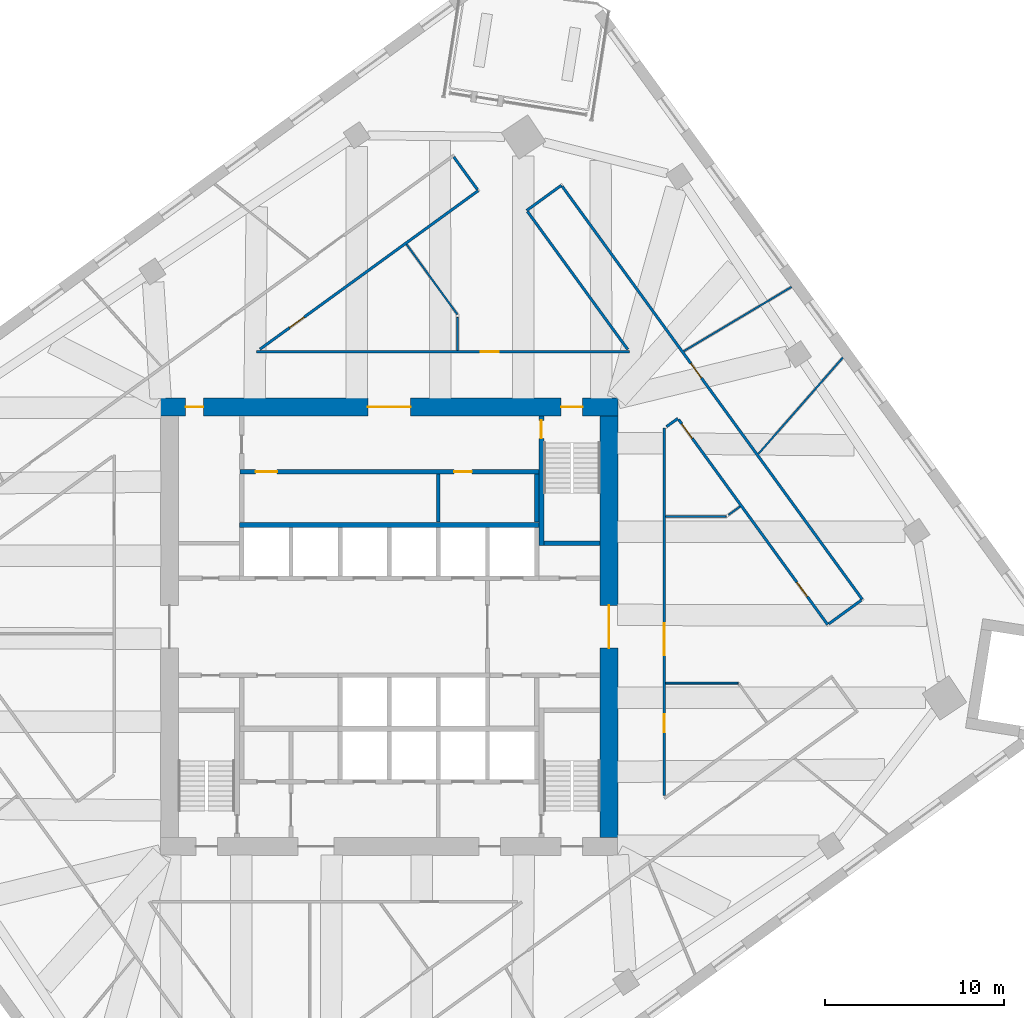
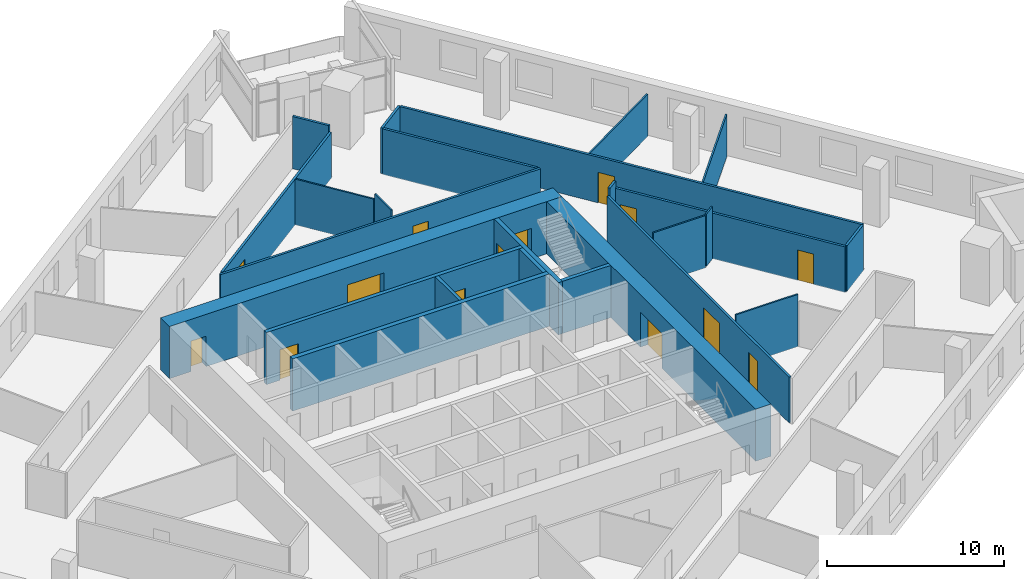
# One storey, part 8 of 11: 25 walls, 14 doors, 14 openings.
"""IFC4 building model written with IfcOpenShell, lengths in metres."""

from ifc_helpers import new_model, si_unit, direction, frame, frame_2d, origin, place, context, subcontext, project, spatial, rectangle, extrude, material, layer, layer_set, type_object, element, fill, save


model = new_model("IFC4")

# Units and contexts
model_context = context("Model", 3, precision=1e-05, world=origin(), true_north=direction((0.0, 1.0)))
body_context = subcontext(model_context, "Body", "Model", "MODEL_VIEW")
ifc_project = project(units=[si_unit("LENGTHUNIT", "METRE"), si_unit("AREAUNIT", "SQUARE_METRE"), si_unit("VOLUMEUNIT", "CUBIC_METRE"), si_unit("PLANEANGLEUNIT", "RADIAN"), si_unit("MASSUNIT", "GRAM", prefix="KILO")], contexts=[model_context])

# Site, building, storey
site_placement = place(None, origin())
site = spatial("IfcSite", under=ifc_project, at=site_placement, CompositionType="ELEMENT")
building_placement = place(site_placement, origin())
building = spatial("IfcBuilding", under=site, at=building_placement, Name="Dilmun Exchange Tower", CompositionType="ELEMENT")
storey_placement = place(building_placement, frame((0.0, 0.0, 171.699951171875)))
storey = spatial("IfcBuildingStorey", under=building, at=storey_placement, Name="L40", CompositionType="ELEMENT", Elevation=171.699951171875)

# Walls
ifc_material_1 = material(Name="Concrete C40/50", Category="concrete")
ifc_layer_1 = layer(ifc_material_1, 0.199951171875)
ifc_layer_set_1 = layer_set([ifc_layer_1], Name="Concrete C40/50")
wall_type_1 = type_object("IfcWallType", Name="Core partition wall 200", PredefinedType="PARTITIONING", material=ifc_layer_set_1)
wall_1_placement = place(storey_placement, frame((2.75, 5.85498046875, 0.0), z_axis=(0.0, 0.0, 1.0), x_axis=(0.0, 1.0, 0.0)))
element("IfcWall", 1, at=wall_1_placement, inside=storey, type_object=wall_type_1, Name="L40 core partition wall 16", PredefinedType="PARTITIONING", context=body_context, shape_type="SweptSolid", body=[
    extrude(rectangle(XDim=2.68994140625, YDim=0.199951171875, at=frame_2d((1.344970703125, 0.0))), origin(), (0.0, 0.0, 1.0), 3.60009765625),
])
ifc_layer_2 = layer(ifc_material_1, 0.25)
ifc_layer_set_2 = layer_set([ifc_layer_2], Name="Concrete C40/50")
wall_type_2 = type_object("IfcWallType", Name="Core partition wall 250", PredefinedType="PARTITIONING", material=ifc_layer_set_2)
wall_2_placement = place(storey_placement, frame((8.25, 5.85498046875, 0.0), z_axis=(0.0, 0.0, 1.0), x_axis=(0.0, 1.0, 0.0)))
element("IfcWall", 2, at=wall_2_placement, inside=storey, type_object=wall_type_2, Name="L40 core partition wall 17", PredefinedType="PARTITIONING", context=body_context, shape_type="SweptSolid", body=[
    extrude(rectangle(XDim=2.68994140625, YDim=0.25, at=frame_2d((1.344970703125, 0.0))), origin(), (0.0, 0.0, 1.0), 3.60009765625),
])

# Wall, openings, doors
wall_3_placement = place(storey_placement, frame((-8.35009765625, 8.675048828125, 0.0), z_axis=(0.0, 0.0, 1.0), x_axis=(1.0, 0.0, 0.0)))
wall_3 = element("IfcWall", 3, at=wall_3_placement, inside=storey, type_object=wall_type_2, Name="L40 core partition wall 18", PredefinedType="PARTITIONING", context=body_context, shape_type="SweptSolid", body=[
    extrude(rectangle(XDim=16.72021484375, YDim=0.25, at=frame_2d((8.360107421875, 0.0))), origin(), (0.0, 0.0, 1.0), 3.60009765625),
])
opening_1_placement = place(wall_3_placement, frame((0.875, 0.0, 0.0)))
opening_1 = element("IfcOpeningElement", 4, at=opening_1_placement, cuts=wall_3, Name="Opening CD3", PredefinedType="OPENING", context=body_context, shape_type="SweptSolid", body=[
    extrude(rectangle(XDim=1.199951171875, YDim=2.10009765625, at=frame_2d((0.60009765625, 1.050048828125))), frame((0.0, 0.135009765625, 0.0), z_axis=(0.0, -1.0, 0.0), x_axis=(1.0, 0.0, 0.0)), (0.0, 0.0, 1.0), 0.27001953125),
])
opening_2_placement = place(wall_3_placement, frame((11.97509765625, 0.0, 0.0)))
opening_2 = element("IfcOpeningElement", 5, at=opening_2_placement, cuts=wall_3, Name="Opening CD4", PredefinedType="OPENING", context=body_context, shape_type="SweptSolid", body=[
    extrude(rectangle(XDim=1.0, YDim=2.10009765625, at=frame_2d((0.5, 1.050048828125))), frame((0.0, 0.135009765625, 0.0), z_axis=(0.0, -1.0, 0.0), x_axis=(1.0, 0.0, 0.0)), (0.0, 0.0, 1.0), 0.27001953125),
])
ifc_material_2 = material(Name="Fire-rated steel door set", Category="steel")
door_type_1 = type_object("IfcDoorType", Name="Core room door 1000x2100", OperationType="SINGLE_SWING_LEFT", PredefinedType="DOOR", material=ifc_material_2)
door_1_placement = place(opening_2_placement, origin())
door_1 = element("IfcDoor", 6, at=door_1_placement, inside=storey, type_object=door_type_1, Name="L40 door Switch room", OperationType="SINGLE_SWING_LEFT", OverallHeight=2.10009765625, OverallWidth=1.0, PredefinedType="DOOR", context=body_context, shape_type="SweptSolid", body=[
    extrude(rectangle(XDim=1.0, YDim=2.10009765625, at=frame_2d((0.5, 1.050048828125))), frame((0.0, 0.02490234375, 0.0), z_axis=(0.0, -1.0, 0.0), x_axis=(1.0, 0.0, 0.0)), (0.0, 0.0, 1.0), 0.050048828125),
])
fill(opening_2, door_1)
door_type_2 = type_object("IfcDoorType", Name="Stair exit door 1200x2100", OperationType="SINGLE_SWING_LEFT", PredefinedType="DOOR", material=ifc_material_2)
door_2_placement = place(opening_1_placement, origin())
door_2 = element("IfcDoor", 7, at=door_2_placement, inside=storey, type_object=door_type_2, Name="L40 door Tenant amenity store", OperationType="SINGLE_SWING_LEFT", OverallHeight=2.10009765625, OverallWidth=1.199951171875, PredefinedType="DOOR", context=body_context, shape_type="SweptSolid", body=[
    extrude(rectangle(XDim=1.199951171875, YDim=2.10009765625, at=frame_2d((0.60009765625, 1.050048828125))), frame((0.0, 0.02490234375, 0.0), z_axis=(0.0, -1.0, 0.0), x_axis=(1.0, 0.0, 0.0)), (0.0, 0.0, 1.0), 0.050048828125),
])
fill(opening_1, door_2)

ifc_material_3 = material(Name="Concrete C70/85", Category="concrete")
ifc_layer_3 = layer(ifc_material_3, 1.0)
ifc_layer_set_3 = layer_set([ifc_layer_3], Name="Concrete C70/85")
wall_type_3 = type_object("IfcWallType", Name="Core shear wall 1000 Concrete C70/85", PredefinedType="SHEAR", material=ifc_layer_set_3)
wall_4_placement = place(storey_placement, frame((-12.800048828125, 12.300048828125, 0.0), z_axis=(0.0, 0.0, 1.0), x_axis=(1.0, 0.0, 0.0)))
wall_4 = element("IfcWall", 8, at=wall_4_placement, inside=storey, type_object=wall_type_3, Name="L40 core shear wall N", PredefinedType="SHEAR", context=body_context, shape_type="SweptSolid", body=[
    extrude(rectangle(XDim=25.60009765625, YDim=1.0, at=frame_2d((12.800048828125, 0.0))), origin(), (0.0, 0.0, 1.0), 3.60009765625),
])
opening_3_placement = place(wall_4_placement, frame((11.60009765625, 0.0, 0.0)))
opening_3 = element("IfcOpeningElement", 9, at=opening_3_placement, cuts=wall_4, Name="Opening CD1", PredefinedType="OPENING", context=body_context, shape_type="SweptSolid", body=[
    extrude(rectangle(XDim=2.39990234375, YDim=2.39990234375, at=frame_2d((1.199951171875, 1.199951171875))), frame((0.0, 0.510009765625, 0.0), z_axis=(0.0, -1.0, 0.0), x_axis=(1.0, 0.0, 0.0)), (0.0, 0.0, 1.0), 1.02001953125),
])
opening_4_placement = place(wall_4_placement, frame((22.425048828125, 0.0, 0.0)))
opening_4 = element("IfcOpeningElement", 10, at=opening_4_placement, cuts=wall_4, Name="Opening CD3", PredefinedType="OPENING", context=body_context, shape_type="SweptSolid", body=[
    extrude(rectangle(XDim=1.199951171875, YDim=2.10009765625, at=frame_2d((0.60009765625, 1.050048828125))), frame((0.0, 0.510009765625, 0.0), z_axis=(0.0, -1.0, 0.0), x_axis=(1.0, 0.0, 0.0)), (0.0, 0.0, 1.0), 1.02001953125),
])
opening_5_placement = place(wall_4_placement, frame((1.39990234375, 0.0, 0.0)))
opening_5 = element("IfcOpeningElement", 11, at=opening_5_placement, cuts=wall_4, Name="Opening CD4", PredefinedType="OPENING", context=body_context, shape_type="SweptSolid", body=[
    extrude(rectangle(XDim=1.0, YDim=2.10009765625, at=frame_2d((0.5, 1.050048828125))), frame((0.0, 0.510009765625, 0.0), z_axis=(0.0, -1.0, 0.0), x_axis=(1.0, 0.0, 0.0)), (0.0, 0.0, 1.0), 1.02001953125),
])
door_type_3 = type_object("IfcDoorType", Name="Core lobby door 2400x2400", OperationType="DOUBLE_DOOR_DOUBLE_SWING", PredefinedType="DOOR", material=ifc_material_2)
door_3_placement = place(opening_3_placement, origin())
door_3 = element("IfcDoor", 12, at=door_3_placement, inside=storey, type_object=door_type_3, Name="L40 door North lift lobby", OperationType="SINGLE_SWING_LEFT", OverallHeight=2.39990234375, OverallWidth=2.39990234375, PredefinedType="DOOR", context=body_context, shape_type="SweptSolid", body=[
    extrude(rectangle(XDim=2.39990234375, YDim=2.39990234375, at=frame_2d((1.199951171875, 1.199951171875))), frame((0.0, 0.02490234375, 0.0), z_axis=(0.0, -1.0, 0.0), x_axis=(1.0, 0.0, 0.0)), (0.0, 0.0, 1.0), 0.050048828125),
])
fill(opening_3, door_3)
door_4_placement = place(opening_5_placement, origin())
door_4 = element("IfcDoor", 13, at=door_4_placement, inside=storey, type_object=door_type_1, Name="L40 door North-west core rooms", OperationType="SINGLE_SWING_LEFT", OverallHeight=2.10009765625, OverallWidth=1.0, PredefinedType="DOOR", context=body_context, shape_type="SweptSolid", body=[
    extrude(rectangle(XDim=1.0, YDim=2.10009765625, at=frame_2d((0.5, 1.050048828125))), frame((0.0, 0.02490234375, 0.0), z_axis=(0.0, -1.0, 0.0), x_axis=(1.0, 0.0, 0.0)), (0.0, 0.0, 1.0), 0.050048828125),
])
fill(opening_5, door_4)
door_5_placement = place(opening_4_placement, origin())
door_5 = element("IfcDoor", 14, at=door_5_placement, inside=storey, type_object=door_type_2, Name="L40 door Stair ST1", OperationType="SINGLE_SWING_LEFT", OverallHeight=2.10009765625, OverallWidth=1.199951171875, PredefinedType="DOOR", context=body_context, shape_type="SweptSolid", body=[
    extrude(rectangle(XDim=1.199951171875, YDim=2.10009765625, at=frame_2d((0.60009765625, 1.050048828125))), frame((0.0, 0.02490234375, 0.0), z_axis=(0.0, -1.0, 0.0), x_axis=(1.0, 0.0, 0.0)), (0.0, 0.0, 1.0), 0.050048828125),
])
fill(opening_4, door_5)

# Wall, opening, door
wall_5_placement = place(storey_placement, frame((12.300048828125, -11.800048828125, 0.0), z_axis=(0.0, 0.0, 1.0), x_axis=(0.0, 1.0, 0.0)))
wall_5 = element("IfcWall", 15, at=wall_5_placement, inside=storey, type_object=wall_type_3, Name="L40 core shear wall E", PredefinedType="SHEAR", context=body_context, shape_type="SweptSolid", body=[
    extrude(rectangle(XDim=23.60009765625, YDim=1.0, at=frame_2d((11.800048828125, 0.0))), origin(), (0.0, 0.0, 1.0), 3.60009765625),
])
opening_6_placement = place(wall_5_placement, frame((10.60009765625, 0.0, 0.0)))
opening_6 = element("IfcOpeningElement", 16, at=opening_6_placement, cuts=wall_5, Name="Opening CD1", PredefinedType="OPENING", context=body_context, shape_type="SweptSolid", body=[
    extrude(rectangle(XDim=2.39990234375, YDim=2.39990234375, at=frame_2d((1.199951171875, 1.199951171875))), frame((0.0, 0.510009765625, 0.0), z_axis=(0.0, -1.0, 0.0), x_axis=(1.0, 0.0, 0.0)), (0.0, 0.0, 1.0), 1.02001953125),
])
door_6_placement = place(opening_6_placement, origin())
door_6 = element("IfcDoor", 17, at=door_6_placement, inside=storey, type_object=door_type_3, Name="L40 door Central lift lobby", OperationType="SINGLE_SWING_LEFT", OverallHeight=2.39990234375, OverallWidth=2.39990234375, PredefinedType="DOOR", context=body_context, shape_type="SweptSolid", body=[
    extrude(rectangle(XDim=2.39990234375, YDim=2.39990234375, at=frame_2d((1.199951171875, 1.199951171875))), frame((0.0, 0.02490234375, 0.0), z_axis=(0.0, -1.0, 0.0), x_axis=(1.0, 0.0, 0.0)), (0.0, 0.0, 1.0), 0.050048828125),
])
fill(opening_6, door_6)

ifc_material_4 = material(Name="Corridor wall 150")
ifc_layer_4 = layer(ifc_material_4, 0.14990234375)
ifc_layer_set_4 = layer_set([ifc_layer_4], Name="Corridor wall 150")
wall_type_4 = type_object("IfcWallType", Name="Corridor wall 150", PredefinedType="PARTITIONING", material=ifc_layer_set_4)
wall_6_placement = place(storey_placement, frame((-7.422119140625, 15.39990234375, 0.0), z_axis=(0.0, 0.0, 1.0), x_axis=(1.0, 0.0, 0.0)))
wall_6 = element("IfcWall", 18, at=wall_6_placement, inside=storey, type_object=wall_type_4, Name="Corridor wall", PredefinedType="PARTITIONING", context=body_context, shape_type="SweptSolid", body=[
    extrude(rectangle(XDim=20.858154296875, YDim=0.14990234375, at=frame_2d((10.42919921875, 0.0))), origin(), (0.0, 0.0, 1.0), 3.150146484375),
])
opening_7_placement = place(wall_6_placement, frame((12.5419921875, 0.0, 0.0)))
opening_7 = element("IfcOpeningElement", 19, at=opening_7_placement, cuts=wall_6, Name="Opening TF38-D14", PredefinedType="OPENING", context=body_context, shape_type="SweptSolid", body=[
    extrude(rectangle(XDim=1.0, YDim=2.10009765625, at=frame_2d((0.5, 1.050048828125))), frame((0.0, 0.0849609375, 0.0), z_axis=(0.0, -1.0, 0.0), x_axis=(1.0, 0.0, 0.0)), (0.0, 0.0, 1.0), 0.169921875),
])
ifc_material_5 = material(Name="Fire door 1000 x 2100")
door_type_4 = type_object("IfcDoorType", Name="Fire door 1000 x 2100", OperationType="NOTDEFINED", PredefinedType="DOOR", material=ifc_material_5)
door_7_placement = place(opening_7_placement, origin())
door_7 = element("IfcDoor", 20, at=door_7_placement, inside=storey, type_object=door_type_4, Name="Door TF38-D14", OperationType="SINGLE_SWING_LEFT", OverallHeight=2.10009765625, OverallWidth=1.0, PredefinedType="DOOR", context=body_context, shape_type="SweptSolid", body=[
    extrude(rectangle(XDim=1.0, YDim=2.10009765625, at=frame_2d((0.5, 1.050048828125))), frame((0.0, 0.02490234375, 0.0), z_axis=(0.0, -1.0, 0.0), x_axis=(1.0, 0.0, 0.0)), (0.0, 0.0, 1.0), 0.050048828125),
])
fill(opening_7, door_7)

wall_7_placement = place(storey_placement, frame((-7.2353515625, 15.53564453125, 0.0), z_axis=(0.0, 0.0, 1.0), x_axis=(0.809007989402, 0.587797646375, 0.0)))
wall_7 = element("IfcWall", 21, at=wall_7_placement, inside=storey, type_object=wall_type_4, Name="Corridor wall", PredefinedType="PARTITIONING", context=body_context, shape_type="SweptSolid", body=[
    extrude(rectangle(XDim=15.09912109375, YDim=0.14990234375, at=frame_2d((7.549560546875, 0.0))), origin(), (0.0, 0.0, 1.0), 3.150146484375),
])
opening_8_placement = place(wall_7_placement, frame((2.050048828125, 0.0, 0.0)))
opening_8 = element("IfcOpeningElement", 22, at=opening_8_placement, cuts=wall_7, Name="Opening TF38-D10", PredefinedType="OPENING", context=body_context, shape_type="SweptSolid", body=[
    extrude(rectangle(XDim=1.0, YDim=2.10009765625, at=frame_2d((0.5, 1.050048828125))), frame((0.0, 0.0849609375, 0.0), z_axis=(0.0, -1.0, 0.0), x_axis=(1.0, 0.0, 0.0)), (0.0, 0.0, 1.0), 0.169921875),
])
door_8_placement = place(opening_8_placement, frame((1.0, 0.0, 0.0), z_axis=(0.0, 0.0, 1.0), x_axis=(-1.0, 0.0, 0.0)))
door_8 = element("IfcDoor", 23, at=door_8_placement, inside=storey, type_object=door_type_4, Name="Door TF38-D10", OperationType="SINGLE_SWING_LEFT", OverallHeight=2.10009765625, OverallWidth=1.0, PredefinedType="DOOR", context=body_context, shape_type="SweptSolid", body=[
    extrude(rectangle(XDim=1.0, YDim=2.10009765625, at=frame_2d((0.5, 1.050048828125))), frame((0.0, 0.02490234375, 0.0), z_axis=(0.0, -1.0, 0.0), x_axis=(1.0, 0.0, 0.0)), (0.0, 0.0, 1.0), 0.050048828125),
])
fill(opening_8, door_8)

# Walls
wall_8_placement = place(storey_placement, frame((3.614013671875, 26.292236328125, 0.0), z_axis=(0.0, 0.0, 1.0), x_axis=(0.587513359373, -0.809214466355, 0.0)))
element("IfcWall", 24, at=wall_8_placement, inside=storey, type_object=wall_type_4, Name="Corridor wall", PredefinedType="PARTITIONING", context=body_context, shape_type="SweptSolid", body=[
    extrude(rectangle(XDim=2.249755859375, YDim=0.14990234375, at=frame_2d((1.125, 0.0))), origin(), (0.0, 0.0, 1.0), 3.60009765625),
])
wall_9_placement = place(storey_placement, frame((7.695068359375, 23.302001953125, 0.0), z_axis=(0.0, 0.0, 1.0), x_axis=(0.809013089606, 0.587790626708, 0.0)))
element("IfcWall", 25, at=wall_9_placement, inside=storey, type_object=wall_type_4, Name="Corridor wall", PredefinedType="PARTITIONING", context=body_context, shape_type="SweptSolid", body=[
    extrude(rectangle(XDim=2.400390625, YDim=0.14990234375, at=frame_2d((1.2001953125, 0.0))), origin(), (0.0, 0.0, 1.0), 3.150146484375),
])
wall_10_placement = place(storey_placement, frame((7.739013671875, 23.2412109375, 0.0), z_axis=(0.0, 0.0, 1.0), x_axis=(0.587792950245, -0.809011401429, 0.0)))
element("IfcWall", 26, at=wall_10_placement, inside=storey, type_object=wall_type_4, Name="Corridor wall", PredefinedType="PARTITIONING", context=body_context, shape_type="SweptSolid", body=[
    extrude(rectangle(XDim=9.545166015625, YDim=0.14990234375, at=frame_2d((4.7724609375, 0.0))), origin(), (0.0, 0.0, 1.0), 3.150146484375),
])

# Wall, opening, door
wall_11_placement = place(storey_placement, frame((9.68115234375, 24.65234375, 0.0), z_axis=(0.0, 0.0, 1.0), x_axis=(0.58776328895, -0.809032951222, 0.0)))
wall_11 = element("IfcWall", 27, at=wall_11_placement, inside=storey, type_object=wall_type_4, Name="Corridor wall", PredefinedType="PARTITIONING", context=body_context, shape_type="SweptSolid", body=[
    extrude(rectangle(XDim=28.58251953125, YDim=0.14990234375, at=frame_2d((14.291259765625, 0.0))), origin(), (0.0, 0.0, 1.0), 3.150146484375),
])
opening_9_placement = place(wall_11_placement, frame((12.255859375, 0.0, 0.0)))
opening_9 = element("IfcOpeningElement", 28, at=opening_9_placement, cuts=wall_11, Name="Opening TF38-D19", PredefinedType="OPENING", context=body_context, shape_type="SweptSolid", body=[
    extrude(rectangle(XDim=1.0, YDim=2.10009765625, at=frame_2d((0.5, 1.050048828125))), frame((0.0, 0.0849609375, 0.0), z_axis=(0.0, -1.0, 0.0), x_axis=(1.0, 0.0, 0.0)), (0.0, 0.0, 1.0), 0.169921875),
])
door_9_placement = place(opening_9_placement, origin())
door_9 = element("IfcDoor", 29, at=door_9_placement, inside=storey, type_object=door_type_4, Name="Door TF38-D19", OperationType="SINGLE_SWING_RIGHT", OverallHeight=2.10009765625, OverallWidth=1.0, PredefinedType="DOOR", context=body_context, shape_type="SweptSolid", body=[
    extrude(rectangle(XDim=1.0, YDim=2.10009765625, at=frame_2d((0.5, 1.050048828125))), frame((0.0, 0.02490234375, 0.0), z_axis=(0.0, -1.0, 0.0), x_axis=(1.0, 0.0, 0.0)), (0.0, 0.0, 1.0), 0.050048828125),
])
fill(opening_9, door_9)

# Wall, openings, doors
wall_12_placement = place(storey_placement, frame((15.39990234375, -9.456787109375, 0.0), z_axis=(0.0, 0.0, 1.0), x_axis=(0.0, 1.0, 0.0)))
wall_12 = element("IfcWall", 30, at=wall_12_placement, inside=storey, type_object=wall_type_4, Name="Corridor wall", PredefinedType="PARTITIONING", context=body_context, shape_type="SweptSolid", body=[
    extrude(rectangle(XDim=20.57080078125, YDim=0.14990234375, at=frame_2d((10.285400390625, 0.0))), origin(), (0.0, 0.0, 1.0), 3.150146484375),
])
opening_10_placement = place(wall_12_placement, frame((3.550048828125, 0.0, 0.0)))
opening_10 = element("IfcOpeningElement", 31, at=opening_10_placement, cuts=wall_12, Name="Opening TF38-D17", PredefinedType="OPENING", context=body_context, shape_type="SweptSolid", body=[
    extrude(rectangle(XDim=1.0, YDim=2.10009765625, at=frame_2d((0.5, 1.050048828125))), frame((0.0, 0.0849609375, 0.0), z_axis=(0.0, -1.0, 0.0), x_axis=(1.0, 0.0, 0.0)), (0.0, 0.0, 1.0), 0.169921875),
])
opening_11_placement = place(wall_12_placement, frame((7.853271484375, 0.0, 0.0)))
opening_11 = element("IfcOpeningElement", 32, at=opening_11_placement, cuts=wall_12, Name="Opening TF38-D20", PredefinedType="OPENING", context=body_context, shape_type="SweptSolid", body=[
    extrude(rectangle(XDim=1.800048828125, YDim=2.10009765625, at=frame_2d((0.89990234375, 1.050048828125))), frame((0.0, 0.0849609375, 0.0), z_axis=(0.0, -1.0, 0.0), x_axis=(1.0, 0.0, 0.0)), (0.0, 0.0, 1.0), 0.169921875),
])
door_10_placement = place(opening_10_placement, frame((1.0, 0.0, 0.0), z_axis=(0.0, 0.0, 1.0), x_axis=(-1.0, 0.0, 0.0)))
door_10 = element("IfcDoor", 33, at=door_10_placement, inside=storey, type_object=door_type_4, Name="Door TF38-D17", OperationType="SINGLE_SWING_LEFT", OverallHeight=2.10009765625, OverallWidth=1.0, PredefinedType="DOOR", context=body_context, shape_type="SweptSolid", body=[
    extrude(rectangle(XDim=1.0, YDim=2.10009765625, at=frame_2d((0.5, 1.050048828125))), frame((0.0, 0.02490234375, 0.0), z_axis=(0.0, -1.0, 0.0), x_axis=(1.0, 0.0, 0.0)), (0.0, 0.0, 1.0), 0.050048828125),
])
fill(opening_10, door_10)
ifc_material_6 = material(Name="Fire door pair 1800 x 2100")
door_type_5 = type_object("IfcDoorType", Name="Fire door pair 1800 x 2100", OperationType="NOTDEFINED", PredefinedType="DOOR", material=ifc_material_6)
door_11_placement = place(opening_11_placement, frame((1.800048828125, 0.0, 0.0), z_axis=(0.0, 0.0, 1.0), x_axis=(-1.0, 0.0, 0.0)))
door_11 = element("IfcDoor", 34, at=door_11_placement, inside=storey, type_object=door_type_5, Name="Door TF38-D20", OperationType="DOUBLE_DOOR_SINGLE_SWING", OverallHeight=2.10009765625, OverallWidth=1.800048828125, PredefinedType="DOOR", context=body_context, shape_type="SweptSolid", body=[
    extrude(rectangle(XDim=1.800048828125, YDim=2.10009765625, at=frame_2d((0.89990234375, 1.050048828125))), frame((0.0, 0.02490234375, 0.0), z_axis=(0.0, -1.0, 0.0), x_axis=(1.0, 0.0, 0.0)), (0.0, 0.0, 1.0), 0.050048828125),
])
fill(opening_11, door_11)

# Wall
wall_13_placement = place(storey_placement, frame((15.51904296875, 11.200439453125, 0.0), z_axis=(0.0, 0.0, 1.0), x_axis=(0.809140088661, 0.587615790225, 0.0)))
element("IfcWall", 35, at=wall_13_placement, inside=storey, type_object=wall_type_4, Name="Corridor wall", PredefinedType="PARTITIONING", context=body_context, shape_type="SweptSolid", body=[
    extrude(rectangle(XDim=0.78369140625, YDim=0.14990234375, at=frame_2d((0.391845703125, 0.0))), origin(), (0.0, 0.0, 1.0), 3.60009765625),
])

# Wall, openings, doors
wall_14_placement = place(storey_placement, frame((16.197021484375, 11.600341796875, 0.0), z_axis=(0.0, 0.0, 1.0), x_axis=(0.587765569966, -0.809031294057, 0.0)))
wall_14 = element("IfcWall", 36, at=wall_14_placement, inside=storey, type_object=wall_type_4, Name="Corridor wall", PredefinedType="PARTITIONING", context=body_context, shape_type="SweptSolid", body=[
    extrude(rectangle(XDim=14.19287109375, YDim=0.14990234375, at=frame_2d((7.096435546875, 0.0))), origin(), (0.0, 0.0, 1.0), 3.150146484375),
])
opening_12_placement = place(wall_14_placement, frame((0.300048828125, 0.0, 0.0)))
opening_12 = element("IfcOpeningElement", 37, at=opening_12_placement, cuts=wall_14, Name="Opening TF38-D16", PredefinedType="OPENING", context=body_context, shape_type="SweptSolid", body=[
    extrude(rectangle(XDim=1.0, YDim=2.10009765625, at=frame_2d((0.5, 1.050048828125))), frame((0.0, 0.0849609375, 0.0), z_axis=(0.0, -1.0, 0.0), x_axis=(1.0, 0.0, 0.0)), (0.0, 0.0, 1.0), 0.169921875),
])
opening_13_placement = place(wall_14_placement, frame((11.259521484375, 0.0, 0.0)))
opening_13 = element("IfcOpeningElement", 38, at=opening_13_placement, cuts=wall_14, Name="Opening TF38-D21", PredefinedType="OPENING", context=body_context, shape_type="SweptSolid", body=[
    extrude(rectangle(XDim=1.0, YDim=2.10009765625, at=frame_2d((0.5, 1.050048828125))), frame((0.0, 0.0849609375, 0.0), z_axis=(0.0, -1.0, 0.0), x_axis=(1.0, 0.0, 0.0)), (0.0, 0.0, 1.0), 0.169921875),
])
door_12_placement = place(opening_12_placement, frame((1.0, 0.0, 0.0), z_axis=(0.0, 0.0, 1.0), x_axis=(-1.0, 0.0, 0.0)))
door_12 = element("IfcDoor", 39, at=door_12_placement, inside=storey, type_object=door_type_4, Name="Door TF38-D16", OperationType="SINGLE_SWING_LEFT", OverallHeight=2.10009765625, OverallWidth=1.0, PredefinedType="DOOR", context=body_context, shape_type="SweptSolid", body=[
    extrude(rectangle(XDim=1.0, YDim=2.10009765625, at=frame_2d((0.5, 1.050048828125))), frame((0.0, 0.02490234375, 0.0), z_axis=(0.0, -1.0, 0.0), x_axis=(1.0, 0.0, 0.0)), (0.0, 0.0, 1.0), 0.050048828125),
])
fill(opening_12, door_12)
door_13_placement = place(opening_13_placement, frame((1.0, 0.0, 0.0), z_axis=(0.0, 0.0, 1.0), x_axis=(-1.0, 0.0, 0.0)))
door_13 = element("IfcDoor", 40, at=door_13_placement, inside=storey, type_object=door_type_4, Name="Door TF38-D21", OperationType="SINGLE_SWING_RIGHT", OverallHeight=2.10009765625, OverallWidth=1.0, PredefinedType="DOOR", context=body_context, shape_type="SweptSolid", body=[
    extrude(rectangle(XDim=1.0, YDim=2.10009765625, at=frame_2d((0.5, 1.050048828125))), frame((0.0, 0.02490234375, 0.0), z_axis=(0.0, -1.0, 0.0), x_axis=(1.0, 0.0, 0.0)), (0.0, 0.0, 1.0), 0.050048828125),
])
fill(opening_13, door_13)

# Walls
wall_15_placement = place(storey_placement, frame((24.599609375, 0.162109375, 0.0), z_axis=(0.0, 0.0, 1.0), x_axis=(0.809251918594, 0.587461770886, 0.0)))
element("IfcWall", 41, at=wall_15_placement, inside=storey, type_object=wall_type_4, Name="Corridor wall", PredefinedType="PARTITIONING", context=body_context, shape_type="SweptSolid", body=[
    extrude(rectangle(XDim=2.25, YDim=0.14990234375, at=frame_2d((1.125, 0.0))), origin(), (0.0, 0.0, 1.0), 3.150146484375),
])
ifc_layer_5 = layer(ifc_material_1, 0.300048828125)
ifc_layer_set_5 = layer_set([ifc_layer_5], Name="Concrete C40/50")
wall_type_5 = type_object("IfcWallType", Name="Lift shaft shared wall 300", PredefinedType="SOLIDWALL", material=ifc_layer_set_5)
wall_16_placement = place(storey_placement, frame((-8.375, 5.699951171875, 0.0), z_axis=(0.0, 0.0, 1.0), x_axis=(1.0, 0.0, 0.0)))
element("IfcWall", 42, at=wall_16_placement, inside=storey, type_object=wall_type_5, Name="L40 lift shaft rear wall N", PredefinedType="SOLIDWALL", context=body_context, shape_type="SweptSolid", body=[
    extrude(rectangle(XDim=16.75, YDim=0.300048828125, at=frame_2d((8.375, 0.0))), origin(), (0.0, 0.0, 1.0), 3.60009765625),
])
ifc_material_7 = material(Name="Partition 100")
ifc_layer_6 = layer(ifc_material_7, 0.10009765625)
ifc_layer_set_6 = layer_set([ifc_layer_6], Name="Partition 100")
wall_type_6 = type_object("IfcWallType", Name="Partition 100", PredefinedType="PARTITIONING", material=ifc_layer_set_6)
wall_17_placement = place(storey_placement, frame((0.967041015625, 21.4033203125, 0.0), z_axis=(0.0, 0.0, 1.0), x_axis=(0.587746963967, -0.809044811088, 0.0)))
element("IfcWall", 43, at=wall_17_placement, inside=storey, type_object=wall_type_6, Name="Partition", PredefinedType="PARTITIONING", context=body_context, shape_type="SweptSolid", body=[
    extrude(rectangle(XDim=4.854248046875, YDim=0.10009765625, at=frame_2d((2.42724609375, 0.0))), origin(), (0.0, 0.0, 1.0), 3.150146484375),
])
wall_18_placement = place(storey_placement, frame((3.820068359375, 15.47509765625, 0.0), z_axis=(0.0, 0.0, 1.0), x_axis=(0.0, 1.0, 0.0)))
element("IfcWall", 44, at=wall_18_placement, inside=storey, type_object=wall_type_6, Name="Partition", PredefinedType="PARTITIONING", context=body_context, shape_type="SweptSolid", body=[
    extrude(rectangle(XDim=1.846923828125, YDim=0.10009765625, at=frame_2d((0.92333984375, 0.0))), origin(), (0.0, 0.0, 1.0), 3.60009765625),
])
wall_19_placement = place(storey_placement, frame((15.47509765625, -3.154052734375, 0.0), z_axis=(0.0, 0.0, 1.0), x_axis=(1.0, 0.0, 0.0)))
element("IfcWall", 45, at=wall_19_placement, inside=storey, type_object=wall_type_6, Name="Partition", PredefinedType="PARTITIONING", context=body_context, shape_type="SweptSolid", body=[
    extrude(rectangle(XDim=4.056884765625, YDim=0.10009765625, at=frame_2d((2.0283203125, 0.0))), origin(), (0.0, 0.0, 1.0), 3.60009765625),
])
wall_20_placement = place(storey_placement, frame((15.47509765625, 6.169921875, 0.0), z_axis=(0.0, 0.0, 1.0), x_axis=(1.0, 0.0, 0.0)))
element("IfcWall", 46, at=wall_20_placement, inside=storey, type_object=wall_type_6, Name="Partition", PredefinedType="PARTITIONING", context=body_context, shape_type="SweptSolid", body=[
    extrude(rectangle(XDim=3.386962890625, YDim=0.10009765625, at=frame_2d((1.693359375, 0.0))), origin(), (0.0, 0.0, 1.0), 3.60009765625),
])
wall_21_placement = place(storey_placement, frame((16.482666015625, 15.4248046875, 0.0), z_axis=(0.0, 0.0, 1.0), x_axis=(0.858967254215, 0.51203052271, 0.0)))
element("IfcWall", 47, at=wall_21_placement, inside=storey, type_object=wall_type_6, Name="Partition", PredefinedType="PARTITIONING", context=body_context, shape_type="SweptSolid", body=[
    extrude(rectangle(XDim=7.02587890625, YDim=0.10009765625, at=frame_2d((3.512939453125, 0.0))), origin(), (0.0, 0.0, 1.0), 2.900146484375),
])
wall_22_placement = place(storey_placement, frame((18.986572265625, 6.260498046875, 0.0), z_axis=(0.0, 0.0, 1.0), x_axis=(0.80898458322, 0.587829859834, 0.0)))
element("IfcWall", 48, at=wall_22_placement, inside=storey, type_object=wall_type_6, Name="Partition", PredefinedType="PARTITIONING", context=body_context, shape_type="SweptSolid", body=[
    extrude(rectangle(XDim=0.806884765625, YDim=0.10009765625, at=frame_2d((0.4033203125, 0.0))), origin(), (0.0, 0.0, 1.0), 3.60009765625),
])
wall_23_placement = place(storey_placement, frame((20.664306640625, 9.680419921875, 0.0), z_axis=(0.0, 0.0, 1.0), x_axis=(0.659403704838, 0.751789035598, 0.0)))
element("IfcWall", 49, at=wall_23_placement, inside=storey, type_object=wall_type_6, Name="Partition", PredefinedType="PARTITIONING", context=body_context, shape_type="SweptSolid", body=[
    extrude(rectangle(XDim=7.166748046875, YDim=0.10009765625, at=frame_2d((3.58349609375, 0.0))), origin(), (0.0, 0.0, 1.0), 2.900146484375),
])
ifc_layer_7 = layer(ifc_material_1, 0.25)
ifc_layer_set_7 = layer_set([ifc_layer_7], Name="Concrete C40/50")
wall_type_7 = type_object("IfcWallType", Name="Stair end wall 250", PredefinedType="SOLIDWALL", material=ifc_layer_set_7)
wall_24_placement = place(storey_placement, frame((8.64990234375, 4.675048828125, 0.0), z_axis=(0.0, 0.0, 1.0), x_axis=(1.0, 0.0, 0.0)))
element("IfcWall", 50, at=wall_24_placement, inside=storey, type_object=wall_type_7, Name="L40 ST1 far wall", PredefinedType="SOLIDWALL", context=body_context, shape_type="SweptSolid", body=[
    extrude(rectangle(XDim=3.150146484375, YDim=0.25, at=frame_2d((1.5751953125, 0.0))), origin(), (0.0, 0.0, 1.0), 3.60009765625),
])

# Wall, opening, door
ifc_layer_8 = layer(ifc_material_1, 0.27490234375)
ifc_layer_set_8 = layer_set([ifc_layer_8], Name="Concrete C40/50")
wall_type_8 = type_object("IfcWallType", Name="Stair wall 275", PredefinedType="SOLIDWALL", material=ifc_layer_set_8)
wall_25_placement = place(storey_placement, frame((8.512451171875, 4.550048828125, 0.0), z_axis=(0.0, 0.0, 1.0), x_axis=(0.0, 1.0, 0.0)))
wall_25 = element("IfcWall", 51, at=wall_25_placement, inside=storey, type_object=wall_type_8, Name="L40 ST1 wall to lift block", PredefinedType="SOLIDWALL", context=body_context, shape_type="SweptSolid", body=[
    extrude(rectangle(XDim=7.25, YDim=0.27490234375, at=frame_2d((3.625, 0.0))), origin(), (0.0, 0.0, 1.0), 3.60009765625),
])
opening_14_placement = place(wall_25_placement, frame((6.0, 0.0, 0.0)))
opening_14 = element("IfcOpeningElement", 52, at=opening_14_placement, cuts=wall_25, Name="Opening CD4", PredefinedType="OPENING", context=body_context, shape_type="SweptSolid", body=[
    extrude(rectangle(XDim=1.0, YDim=2.10009765625, at=frame_2d((0.5, 1.050048828125))), frame((0.0, 0.1474609375, 0.0), z_axis=(0.0, -1.0, 0.0), x_axis=(1.0, 0.0, 0.0)), (0.0, 0.0, 1.0), 0.294921875),
])
door_14_placement = place(opening_14_placement, origin())
door_14 = element("IfcDoor", 53, at=door_14_placement, inside=storey, type_object=door_type_1, Name="L40 door ST1 from lobby", OperationType="SINGLE_SWING_LEFT", OverallHeight=2.10009765625, OverallWidth=1.0, PredefinedType="DOOR", context=body_context, shape_type="SweptSolid", body=[
    extrude(rectangle(XDim=1.0, YDim=2.10009765625, at=frame_2d((0.5, 1.050048828125))), frame((0.0, 0.02490234375, 0.0), z_axis=(0.0, -1.0, 0.0), x_axis=(1.0, 0.0, 0.0)), (0.0, 0.0, 1.0), 0.050048828125),
])
fill(opening_14, door_14)

save(model, "model.ifc")
